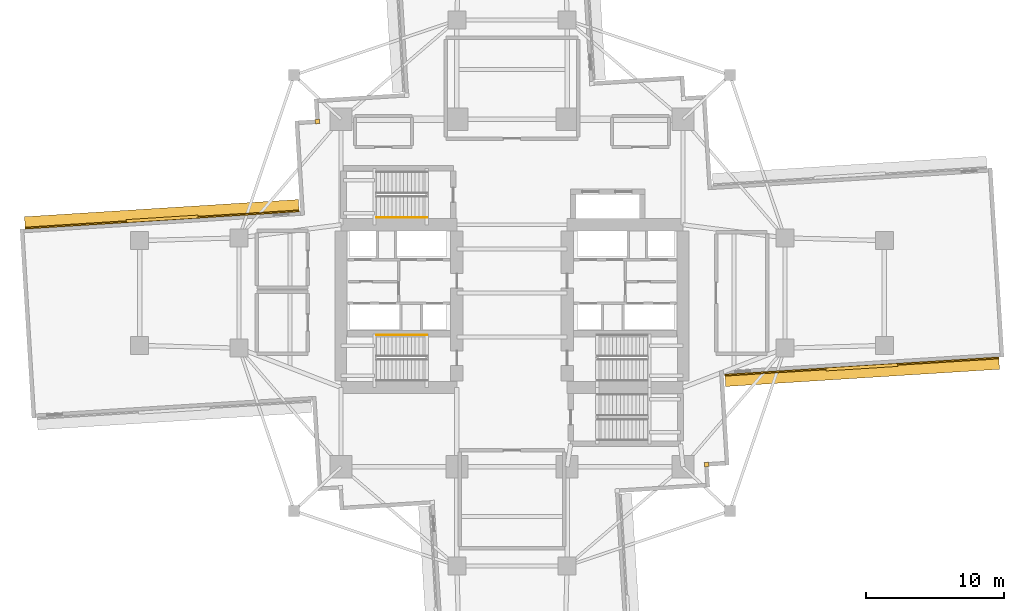
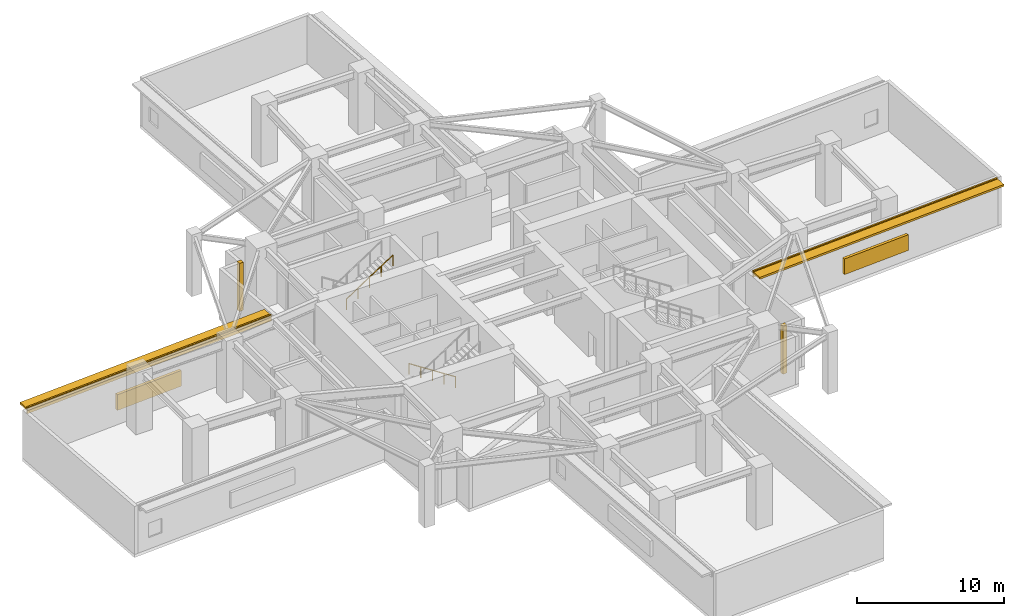
# One storey, part 9 of 11: 4 coverings, 4 shading devices, 2 railings.
"""IFC4 building model written with IfcOpenShell, lengths in metres."""

from ifc_helpers import new_model, si_unit, direction, frame, origin, origin_2d, place, context, subcontext, project, spatial, rectangle, circle, extrude, material, layer, layer_set, type_object, element, save


model = new_model("IFC4")

# Units and contexts
model_context = context("Model", 3, precision=1e-05, world=origin(), true_north=direction((0.0, 1.0)))
body_context = subcontext(model_context, "Body", "Model", "MODEL_VIEW")
ifc_project = project(units=[si_unit("LENGTHUNIT", "METRE"), si_unit("AREAUNIT", "SQUARE_METRE"), si_unit("VOLUMEUNIT", "CUBIC_METRE"), si_unit("PLANEANGLEUNIT", "RADIAN"), si_unit("MASSUNIT", "GRAM", prefix="KILO")], contexts=[model_context])

# Site, building, storey
site_placement = place(None, origin())
site = spatial("IfcSite", under=ifc_project, at=site_placement, CompositionType="ELEMENT")
building_placement = place(site_placement, origin())
building = spatial("IfcBuilding", under=site, at=building_placement, Name="Qingluan Cross Belvedere", CompositionType="ELEMENT")
storey_placement = place(building_placement, frame((0.0, 0.0, 47.10009765625)))
storey = spatial("IfcBuildingStorey", under=building, at=storey_placement, Name="L12", CompositionType="ELEMENT", Elevation=47.10009765625)

# Coverings
ifc_material_1 = material(Name="Precast concrete C45", Category="concrete")
ifc_layer_1 = layer(ifc_material_1, 0.1201171875, Name="ConcreteSpandrelCladding_120")
ifc_layer_set_1 = layer_set([ifc_layer_1], Name="Precast concrete C45")
covering_type = type_object("IfcCoveringType", Name="ConcreteSpandrelCladding_120", PredefinedType="CLADDING", material=ifc_layer_set_1)
for number, where, z_axis, x_axis, name in (
    (1, (25.37451171875, -5.3271484375, 3.519775390625), (0.0, 0.0, 1.0), (0.998026999973, 0.062786203294, 0.0), "Spandrel cladding L12-EA"),
    (2, (-25.37451171875, 5.3271484375, 3.519775390625), (0.0, 0.0, 1.0), (-0.998026999973, -0.062786203294, 0.0), "Spandrel cladding L12-WA"),
):
    element("IfcCovering", number, at=place(storey_placement, frame(where, z_axis=z_axis, x_axis=x_axis)), inside=storey, type_object=covering_type, Name=name, PredefinedType="CLADDING", context=body_context, shape_type="SweptSolid", body=[
        extrude(rectangle(XDim=19.89990234375, YDim=0.1201171875, at=origin_2d()), origin(), (0.0, 0.0, 1.0), 0.52001953125),
    ])
for number, where, z_axis, x_axis, name in (
    (3, (-14.10888671875, 12.438720703125, 0.0), (0.0, 0.0, 1.0), (0.998026728428, 0.062790519529, 0.0), "Corner closure L12-NW1"),
    (4, (14.10888671875, -12.438720703125, 0.0), (0.0, 0.0, 1.0), (0.998026728428, 0.062790519529, 0.0), "Corner closure L12-SE1"),
):
    element("IfcCovering", number, at=place(storey_placement, frame(where, z_axis=z_axis, x_axis=x_axis)), inside=storey, type_object=covering_type, Name=name, PredefinedType="CLADDING", context=body_context, shape_type="SweptSolid", body=[
        extrude(rectangle(XDim=0.320068359375, YDim=0.320068359375, at=origin_2d()), origin(), (0.0, 0.0, 1.0), 3.97998046875),
    ])

# Shading devices
ifc_material_2 = material(Name="Precast concrete C45", Category="concrete")
ifc_layer_2 = layer(ifc_material_2, 0.159912109375, Name="ConcreteSunshadeBand_900")
ifc_layer_set_2 = layer_set([ifc_layer_2], Name="Precast concrete C45")
shading_device_type_1 = type_object("IfcShadingDeviceType", Name="ConcreteSunshadeBand_900", PredefinedType="USERDEFINED", material=ifc_layer_set_2)
for number, where, z_axis, x_axis, name in (
    (5, (25.3984375, -5.70654296875, 3.7998046875), (0.0, 0.0, 1.0), (0.998026999973, 0.062786203294, 0.0), "Concrete SUNSHADE L12-EA"),
    (6, (-25.3984375, 5.70654296875, 3.7998046875), (0.0, 0.0, 1.0), (-0.998026999973, -0.062786203294, 0.0), "Concrete SUNSHADE L12-WA"),
):
    element("IfcShadingDevice", number, at=place(storey_placement, frame(where, z_axis=z_axis, x_axis=x_axis)), inside=storey, type_object=shading_device_type_1, Name=name, ObjectType="SUNSHADE", PredefinedType="USERDEFINED", context=body_context, shape_type="SweptSolid", body=[
        extrude(rectangle(XDim=19.89990234375, YDim=0.89990234375, at=origin_2d()), origin(), (0.0, 0.0, 1.0), 0.159912109375),
    ])
ifc_material_3 = material(Name="Anodised aluminium acoustic louvre screen", Category="aluminium")
ifc_layer_3 = layer(ifc_material_3, 0.219970703125, Name="RefugeAcousticLouvre_Screen")
ifc_layer_set_3 = layer_set([ifc_layer_3], Name="Anodised aluminium acoustic louvre screen")
shading_device_type_2 = type_object("IfcShadingDeviceType", Name="RefugeAcousticLouvre_Screen", PredefinedType="JALOUSIE", material=ifc_layer_set_3)
for number, where, z_axis, x_axis, name in (
    (7, (25.377685546875, -5.377197265625, 0.94970703125), (0.0, 0.0, 1.0), (0.998026999973, 0.062786203294, 0.0), "Plant acoustic louvre SCREEN L12-EA"),
    (8, (-25.377685546875, 5.377197265625, 0.94970703125), (0.0, 0.0, 1.0), (-0.998026999973, -0.062786203294, 0.0), "Plant acoustic louvre SCREEN L12-WA"),
):
    element("IfcShadingDevice", number, at=place(storey_placement, frame(where, z_axis=z_axis, x_axis=x_axis)), inside=storey, type_object=shading_device_type_2, Name=name, PredefinedType="JALOUSIE", context=body_context, shape_type="SweptSolid", body=[
        extrude(rectangle(XDim=5.199951171875, YDim=0.219970703125, at=origin_2d()), origin(), (0.0, 0.0, 1.0), 1.300048828125),
    ])

# Railings
ifc_material_4 = material(Name="Brushed stainless steel tubular handrail", Category="steel")
railing_type = type_object("IfcRailingType", Name="StairPitchHandrail_900", PredefinedType="HANDRAIL", material=ifc_material_4)
railing_1_placement = place(storey_placement, frame((-6.179931640625, -3.050048828125, 0.18212890625)))
element("IfcRailing", 9, at=railing_1_placement, inside=storey, type_object=railing_type, Name="L12 ST1 stair handrail 1", PredefinedType="HANDRAIL", context=body_context, shape_type="SweptSolid", body=[
    extrude(circle(Radius=0.02392578125, at=origin_2d()), frame((0.0, 0.0, 0.8759765625), z_axis=(-0.838276589377, 0.0, 0.545245228959), x_axis=(0.0, -1.0, 0.0)), (0.0, 0.0, 1.0), 4.34228515625),
    extrude(circle(Radius=0.02099609375, at=origin_2d()), origin(), (0.0, 0.0, 1.0), 0.851806640625),
    extrude(circle(Radius=0.02099609375, at=origin_2d()), frame((-0.91015625, 0.0, 0.591796875)), (0.0, 0.0, 1.0), 0.851806640625),
    extrude(circle(Radius=0.02099609375, at=origin_2d()), frame((-1.820068359375, 0.0, 1.183837890625)), (0.0, 0.0, 1.0), 0.851806640625),
    extrude(circle(Radius=0.02099609375, at=origin_2d()), frame((-2.72998046875, 0.0, 1.77587890625)), (0.0, 0.0, 1.0), 0.851806640625),
    extrude(circle(Radius=0.02099609375, at=origin_2d()), frame((-3.64013671875, 0.0, 2.36767578125)), (0.0, 0.0, 1.0), 0.851806640625),
])
railing_2_placement = place(storey_placement, frame((-9.820068359375, 5.469970703125, 2.73193359375)))
element("IfcRailing", 10, at=railing_2_placement, inside=storey, type_object=railing_type, Name="L12 ST3 stair handrail 2", PredefinedType="HANDRAIL", context=body_context, shape_type="SweptSolid", body=[
    extrude(circle(Radius=0.02392578125, at=origin_2d()), frame((0.0, 0.0, 0.8759765625), z_axis=(0.83825089185, 0.0, 0.545284735081), x_axis=(0.0, 1.0, 0.0)), (0.0, 0.0, 1.0), 4.342529296875),
    extrude(circle(Radius=0.02099609375, at=origin_2d()), origin(), (0.0, 0.0, 1.0), 0.851806640625),
    extrude(circle(Radius=0.02099609375, at=origin_2d()), frame((0.91015625, 0.0, 0.592041015625)), (0.0, 0.0, 1.0), 0.851806640625),
    extrude(circle(Radius=0.02099609375, at=origin_2d()), frame((1.820068359375, 0.0, 1.18408203125)), (0.0, 0.0, 1.0), 0.851806640625),
    extrude(circle(Radius=0.02099609375, at=origin_2d()), frame((2.72998046875, 0.0, 1.77587890625)), (0.0, 0.0, 1.0), 0.851806640625),
    extrude(circle(Radius=0.02099609375, at=origin_2d()), frame((3.64013671875, 0.0, 2.367919921875)), (0.0, 0.0, 1.0), 0.851806640625),
])

save(model, "model.ifc")
